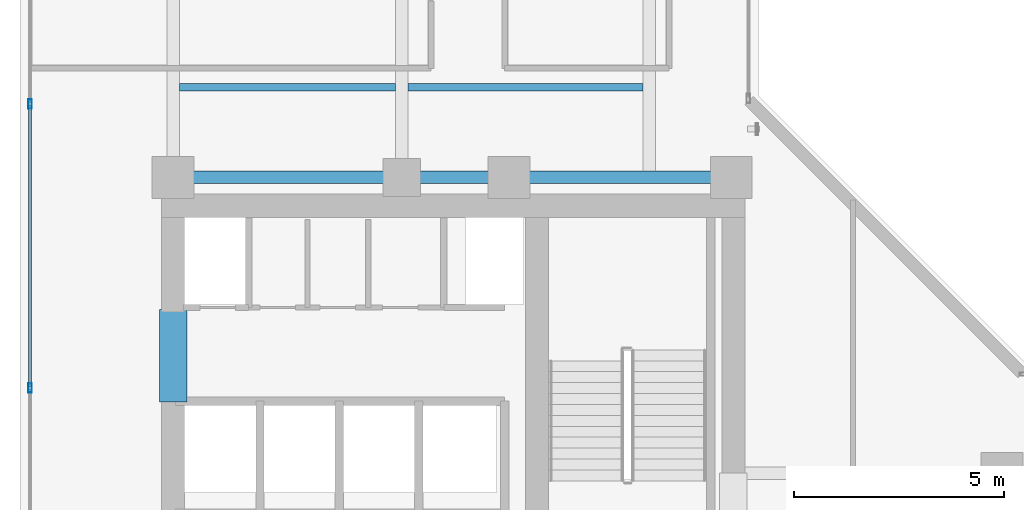
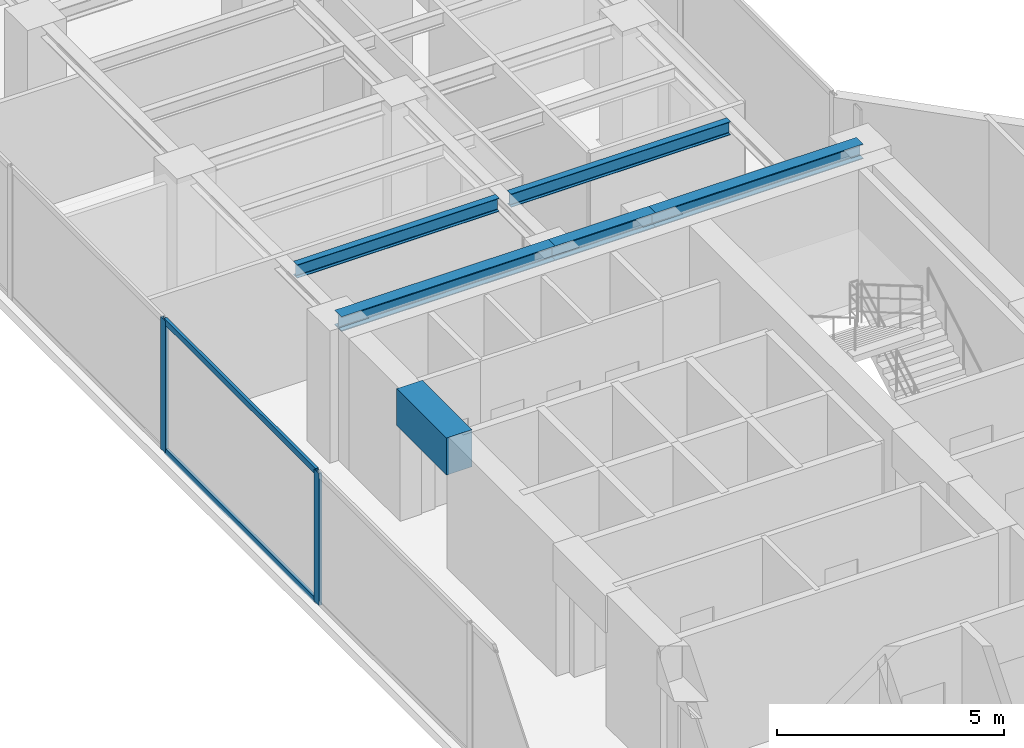
# One storey, part 7 of 25: 6 beams, 4 members, 1 element without a shape of its own.
"""IFC4 building model written with IfcOpenShell, lengths in metres."""

from ifc_helpers import new_model, si_unit, direction, frame, origin, origin_with_axes, origin_2d, place, context, subcontext, project, spatial, rectangle, hollow_rectangle, i_section, extrude, source, transform, mapped, material, layer, layer_set, material_profile, profile_set, type_object, element, aggregate, save


model = new_model("IFC4")

# Units and contexts
model_context = context("Model", 3, precision=1e-05, world=origin(), true_north=direction((0.0, 1.0)))
body_context = subcontext(model_context, "Body", "Model", "MODEL_VIEW")
ifc_project = project(units=[si_unit("LENGTHUNIT", "METRE"), si_unit("AREAUNIT", "SQUARE_METRE"), si_unit("VOLUMEUNIT", "CUBIC_METRE"), si_unit("PLANEANGLEUNIT", "RADIAN"), si_unit("MASSUNIT", "GRAM", prefix="KILO")], contexts=[model_context])

# Site, building, storey
site_placement = place(None, origin())
site = spatial("IfcSite", under=ifc_project, at=site_placement, CompositionType="ELEMENT")
building_placement = place(site_placement, origin())
building = spatial("IfcBuilding", under=site, at=building_placement, Name="Kolvaren Waterfront Exchange", CompositionType="ELEMENT")
storey_placement = place(building_placement, frame((0.0, 0.0, 204.5)))
storey = spatial("IfcBuildingStorey", under=building, at=storey_placement, Name="L52", CompositionType="ELEMENT", Elevation=204.5)

# Beams
ifc_material_1 = material(Name="Steel S355", Category="steel")
ifc_material_profile_1 = material_profile(ifc_material_1, i_section(OverallWidth=0.300048828125, OverallDepth=0.39990234375, WebThickness=0.013427734375, FlangeThickness=0.02392578125, FilletRadius=0.027099609375, at=origin_2d()), Name="HEB400")
ifc_profile_set_1 = profile_set([ifc_material_profile_1], Name="Steel S355")
beam_type_1 = type_object("IfcBeamType", Name="STR-BM-HEB400", PredefinedType="BEAM", material=ifc_profile_set_1)
beam_1_placement = place(storey_placement, frame((7.449951171875, 24.449951171875, 3.360107421875), z_axis=(1.0, 0.0, 0.0), x_axis=(0.0, 1.0, 0.0)))
element("IfcBeam", 1, at=beam_1_placement, inside=storey, type_object=beam_type_1, Name="L52 north-arm girder 1A", PredefinedType="BEAM", context=body_context, shape_type="SweptSolid", body=[
    extrude(i_section(OverallWidth=0.300048828125, OverallDepth=0.39990234375, WebThickness=0.013427734375, FlangeThickness=0.02392578125, FilletRadius=0.027099609375, at=origin_2d()), origin(), (0.0, 0.0, 1.0), 5.449951171875),
])
beam_2_placement = place(storey_placement, frame((12.89990234375, 24.449951171875, 3.360107421875), z_axis=(1.0, 0.0, 0.0), x_axis=(0.0, 1.0, 0.0)))
element("IfcBeam", 2, at=beam_2_placement, inside=storey, type_object=beam_type_1, Name="L52 north-arm girder 1B", PredefinedType="BEAM", context=body_context, shape_type="SweptSolid", body=[
    extrude(i_section(OverallWidth=0.300048828125, OverallDepth=0.39990234375, WebThickness=0.013427734375, FlangeThickness=0.02392578125, FilletRadius=0.027099609375, at=origin_2d()), origin(), (0.0, 0.0, 1.0), 2.550048828125),
])
beam_3_placement = place(storey_placement, frame((15.449951171875, 24.449951171875, 3.360107421875), z_axis=(1.0, 0.0, 0.0), x_axis=(0.0, 1.0, 0.0)))
element("IfcBeam", 3, at=beam_3_placement, inside=storey, type_object=beam_type_1, Name="L52 north-arm girder 1C", PredefinedType="BEAM", context=body_context, shape_type="SweptSolid", body=[
    extrude(i_section(OverallWidth=0.300048828125, OverallDepth=0.39990234375, WebThickness=0.013427734375, FlangeThickness=0.02392578125, FilletRadius=0.027099609375, at=origin_2d()), origin(), (0.0, 0.0, 1.0), 5.300048828125),
])
ifc_material_profile_2 = material_profile(ifc_material_1, i_section(OverallWidth=0.169921875, OverallDepth=0.360107421875, WebThickness=0.008056640625, FlangeThickness=0.0126953125, FilletRadius=0.01806640625, at=origin_2d()), Name="IPE360")
ifc_profile_set_2 = profile_set([ifc_material_profile_2], Name="Steel S355")
beam_type_2 = type_object("IfcBeamType", Name="STR-BM-IPE360", PredefinedType="JOIST", material=ifc_profile_set_2)
beam_4_placement = place(storey_placement, frame((7.60205078125, 26.60009765625, 3.3798828125), z_axis=(1.0, 0.0, 0.0), x_axis=(0.0, 1.0, 0.0)))
element("IfcBeam", 4, at=beam_4_placement, inside=storey, type_object=beam_type_2, Name="L52 north-arm composite joist 1A", PredefinedType="JOIST", context=body_context, shape_type="SweptSolid", body=[
    extrude(i_section(OverallWidth=0.169921875, OverallDepth=0.360107421875, WebThickness=0.008056640625, FlangeThickness=0.0126953125, FilletRadius=0.01806640625, at=origin_2d()), origin(), (0.0, 0.0, 1.0), 5.14599609375),
])
beam_5_placement = place(storey_placement, frame((13.052001953125, 26.60009765625, 3.3798828125), z_axis=(1.0, 0.0, 0.0), x_axis=(0.0, 1.0, 0.0)))
element("IfcBeam", 5, at=beam_5_placement, inside=storey, type_object=beam_type_2, Name="L52 north-arm composite joist 1B", PredefinedType="JOIST", context=body_context, shape_type="SweptSolid", body=[
    extrude(i_section(OverallWidth=0.169921875, OverallDepth=0.360107421875, WebThickness=0.008056640625, FlangeThickness=0.0126953125, FilletRadius=0.01806640625, at=origin_2d()), origin(), (0.0, 0.0, 1.0), 5.595947265625),
])
ifc_material_2 = material(Name="Concrete C60/75", Category="concrete")
ifc_material_profile_3 = material_profile(ifc_material_2, rectangle(XDim=0.64990234375, YDim=1.0, at=origin_2d()), Name="RC-CB-1000x650")
ifc_profile_set_3 = profile_set([ifc_material_profile_3], Name="Concrete C60/75")
beam_type_3 = type_object("IfcBeamType", Name="STR-CB-1000", PredefinedType="SPANDREL", material=ifc_profile_set_3)
beam_6_placement = place(storey_placement, frame((7.449951171875, 19.10009765625, 3.06005859375), z_axis=(0.0, 1.0, 0.0), x_axis=(-1.0, 0.0, 0.0)))
element("IfcBeam", 6, at=beam_6_placement, inside=storey, type_object=beam_type_3, Name="L52 core coupling beam 5", PredefinedType="SPANDREL", context=body_context, shape_type="SweptSolid", body=[
    extrude(rectangle(XDim=0.64990234375, YDim=1.0, at=origin_2d()), origin(), (0.0, 0.0, 1.0), 2.199951171875),
])

# Curtain wall, members
ifc_material_3 = material(Name="Anodised aluminium 6063-T6", Category="aluminium")
ifc_layer = layer(ifc_material_3, 0.219970703125, Name="Anodised aluminium 6063-T6")
ifc_layer_set = layer_set([ifc_layer], Name="Anodised aluminium 6063-T6")
curtain_wall_type = type_object("IfcCurtainWallType", Name="ARC-CW-SYS2", PredefinedType="USERDEFINED", material=ifc_layer_set)
curtain_wall_placement = place(storey_placement, origin())
curtain_wall = element("IfcCurtainWall", 7, at=curtain_wall_placement, inside=storey, type_object=curtain_wall_type, Name="L52 stick curtain wall CW2 (CW-L52-W)", ObjectType="STICK CURTAIN WALL", PredefinedType="USERDEFINED")
ifc_material_profile_4 = material_profile(ifc_material_3, hollow_rectangle(XDim=0.080078125, YDim=0.219970703125, WallThickness=0.0048828125, at=origin_2d()), Name="ALU-MUL-220x80x5")
ifc_profile_set_4 = profile_set([ifc_material_profile_4], Name="Anodised aluminium 6063-T6")
member_type_1 = type_object("IfcMemberType", Name="ARC-CWM-220", PredefinedType="MULLION", material=ifc_profile_set_4)
shared_shape_1 = source(origin_with_axes(), body_context, "Body", "SweptSolid", [
    extrude(hollow_rectangle(XDim=0.080078125, YDim=0.219970703125, WallThickness=0.0048828125, at=origin_2d()), origin(), (0.0, 0.0, 1.0), 3.56005859375),
])
member_1_placement = place(storey_placement, frame((4.0400390625, 19.433349609375, 0.0), z_axis=(0.0, 0.0, 1.0), x_axis=(-1.0, 0.0, 0.0)))
member_1 = element("IfcMember", 8, at=member_1_placement, type_object=member_type_1, Name="CW2 mullion 3", PredefinedType="MULLION", context=body_context, shape_type="MappedRepresentation", body=[
    mapped(shared_shape_1, transform((0.0, 0.0, 0.0), x_axis=(1.0, 0.0, 0.0), y_axis=(0.0, 1.0, 0.0), z_axis=(0.0, 0.0, 1.0), scale=1.0)),
])
member_2_placement = place(storey_placement, frame((4.0400390625, 26.199951171875, 0.0), z_axis=(0.0, 0.0, 1.0), x_axis=(-1.0, 0.0, 0.0)))
member_2 = element("IfcMember", 9, at=member_2_placement, type_object=member_type_1, Name="CW2 mullion 4", PredefinedType="MULLION", context=body_context, shape_type="MappedRepresentation", body=[
    mapped(shared_shape_1, transform((0.0, 0.0, 0.0), x_axis=(1.0, 0.0, 0.0), y_axis=(0.0, 1.0, 0.0), z_axis=(0.0, 0.0, 1.0), scale=1.0)),
])
ifc_material_profile_5 = material_profile(ifc_material_3, hollow_rectangle(XDim=0.074951171875, YDim=0.159912109375, WallThickness=0.00439453125, at=origin_2d()), Name="ALU-TRN-160x75x4.5")
ifc_profile_set_5 = profile_set([ifc_material_profile_5], Name="Anodised aluminium 6063-T6")
member_type_2 = type_object("IfcMemberType", Name="ARC-CWT-160", PredefinedType="USERDEFINED", material=ifc_profile_set_5)
shared_shape_2 = source(origin_with_axes(), body_context, "Body", "SweptSolid", [
    extrude(hollow_rectangle(XDim=0.074951171875, YDim=0.159912109375, WallThickness=0.00439453125, at=origin_2d()), origin(), (0.0, 0.0, 1.0), 6.6865234375),
])
member_3_placement = place(storey_placement, frame((4.0400390625, 19.473388671875, 0.03759765625), z_axis=(0.0, 1.0, 0.0), x_axis=(-1.0, 0.0, 0.0)))
member_3 = element("IfcMember", 10, at=member_3_placement, type_object=member_type_2, Name="CW2 transom 3.1", ObjectType="TRANSOM", PredefinedType="USERDEFINED", context=body_context, shape_type="MappedRepresentation", body=[
    mapped(shared_shape_2, transform((0.0, 0.0, 0.0), x_axis=(1.0, 0.0, 0.0), y_axis=(0.0, 1.0, 0.0), z_axis=(0.0, 0.0, 1.0), scale=1.0)),
])
member_4_placement = place(storey_placement, frame((4.0400390625, 19.473388671875, 3.5224609375), z_axis=(0.0, 1.0, 0.0), x_axis=(-1.0, 0.0, 0.0)))
member_4 = element("IfcMember", 11, at=member_4_placement, type_object=member_type_2, Name="CW2 transom 3.2", ObjectType="TRANSOM", PredefinedType="USERDEFINED", context=body_context, shape_type="MappedRepresentation", body=[
    mapped(shared_shape_2, transform((0.0, 0.0, 0.0), x_axis=(1.0, 0.0, 0.0), y_axis=(0.0, 1.0, 0.0), z_axis=(0.0, 0.0, 1.0), scale=1.0)),
])
aggregate(curtain_wall, [member_1, member_2, member_3, member_4])

save(model, "model.ifc")
